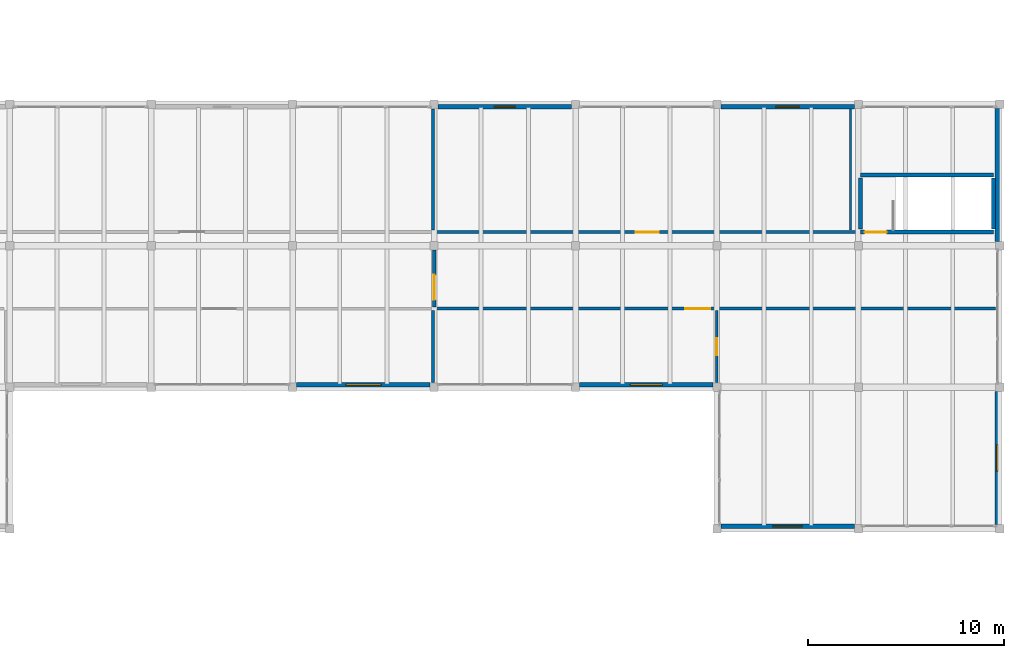
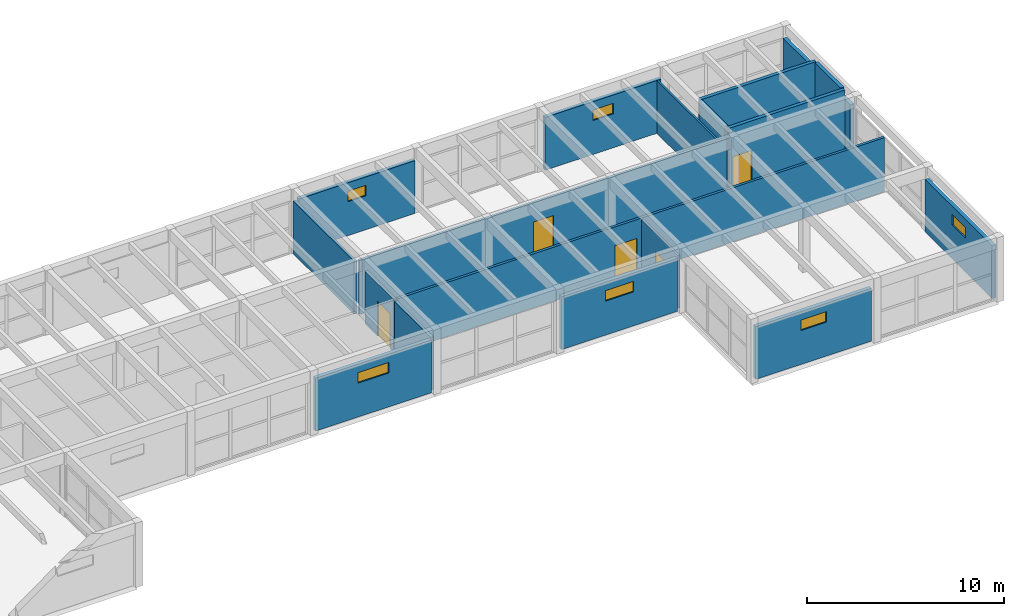
# One storey, part 61 of 68: 18 walls, 6 windows, 5 doors, 11 openings.
"""IFC4 building model written with IfcOpenShell, lengths in metres."""

from ifc_helpers import new_model, si_unit, direction, frame, frame_2d, origin, place, context, subcontext, project, spatial, rectangle, extrude, material, layer, layer_set, type_object, element, fill, save


model = new_model("IFC4")

# Units and contexts
model_context = context("Model", 3, precision=1e-05, world=origin(), true_north=direction((0.0, 1.0)))
body_context = subcontext(model_context, "Body", "Model", "MODEL_VIEW")
ifc_project = project(units=[si_unit("LENGTHUNIT", "METRE"), si_unit("AREAUNIT", "SQUARE_METRE"), si_unit("VOLUMEUNIT", "CUBIC_METRE"), si_unit("PLANEANGLEUNIT", "RADIAN"), si_unit("MASSUNIT", "GRAM", prefix="KILO")], contexts=[model_context])

# Site, building, storey
site_placement = place(None, origin())
site = spatial("IfcSite", under=ifc_project, at=site_placement, CompositionType="ELEMENT")
building_placement = place(site_placement, origin())
building = spatial("IfcBuilding", under=site, at=building_placement, Name="Bramvelor Terrace Health Centre", CompositionType="ELEMENT")
storey_placement = place(building_placement, frame((0.0, 0.0, 9.300048828125)))
storey = spatial("IfcBuildingStorey", under=building, at=storey_placement, Name="L03", CompositionType="ELEMENT", Elevation=9.300048828125)

# Wall
ifc_material_1 = material(Name="Acoustic clinical partition board", Category="gypsum")
ifc_layer_1 = layer(ifc_material_1, 0.110107421875)
ifc_layer_set_1 = layer_set([ifc_layer_1], Name="Acoustic clinical partition board")
wall_type_1 = type_object("IfcWallType", Name="WL-CLN-110", PredefinedType="PARTITIONING", material=ifc_layer_set_1)
wall_1_placement = place(storey_placement, frame((158.0, 64.550048828125, 0.0), z_axis=(0.0, 0.0, 1.0), x_axis=(0.0, -1.0, 0.0)))
element("IfcWall", 1, at=wall_1_placement, inside=storey, type_object=wall_type_1, Name="L03 Interior Partition 252", PredefinedType="PARTITIONING", context=body_context, shape_type="SweptSolid", body=[
    extrude(rectangle(XDim=6.15966796875, YDim=0.110107421875, at=frame_2d((3.079833984375, 0.0))), origin(), (0.0, 0.0, 1.0), 3.27001953125),
])

# Wall, opening, door
ifc_material_2 = material(Name="Acoustic clinical partition board", Category="gypsum")
ifc_layer_2 = layer(ifc_material_2, 0.1201171875)
ifc_layer_set_2 = layer_set([ifc_layer_2], Name="Acoustic clinical partition board")
wall_type_2 = type_object("IfcWallType", Name="WL-CLN-120", PredefinedType="PARTITIONING", material=ifc_layer_set_2)
wall_2_placement = place(storey_placement, frame((151.18994140625, 54.300048828125, 0.0), z_axis=(0.0, 0.0, 1.0), x_axis=(0.0, -1.0, 0.0)))
wall_2 = element("IfcWall", 2, at=wall_2_placement, inside=storey, type_object=wall_type_2, Name="L03 Interior Partition 251", PredefinedType="PARTITIONING", context=body_context, shape_type="SweptSolid", body=[
    extrude(rectangle(XDim=3.670166015625, YDim=0.1201171875, at=frame_2d((1.8349609375, 0.0))), origin(), (0.0, 0.0, 1.0), 3.27001953125),
])
opening_1_placement = place(wall_2_placement, frame((1.39990234375, 0.0, 0.0)))
opening_1 = element("IfcOpeningElement", 3, at=opening_1_placement, cuts=wall_2, Name="Opening ID-C15", PredefinedType="OPENING", context=body_context, shape_type="SweptSolid", body=[
    extrude(rectangle(XDim=0.8701171875, YDim=2.139892578125, at=frame_2d((0.43505859375, 1.06982421875))), frame((0.0, 0.070068359375, 0.0), z_axis=(0.0, -1.0, 0.0), x_axis=(1.0, 0.0, 0.0)), (0.0, 0.0, 1.0), 0.14013671875),
])
ifc_material_3 = material(Name="Solid-core acoustic timber laminate", Category="wood")
door_type_1 = type_object("IfcDoorType", Name="DR-CLN-15", OperationType="NOTDEFINED", PredefinedType="DOOR", material=ifc_material_3)
door_1_placement = place(opening_1_placement, origin())
door_1 = element("IfcDoor", 4, at=door_1_placement, inside=storey, type_object=door_type_1, Name="L03 Day Surgery Operating Theatre OR-4 Clinical Door", OperationType="SINGLE_SWING_RIGHT", OverallHeight=2.139892578125, OverallWidth=0.8701171875, PredefinedType="DOOR", context=body_context, shape_type="SweptSolid", body=[
    extrude(rectangle(XDim=0.8701171875, YDim=2.139892578125, at=frame_2d((0.43505859375, 1.06982421875))), frame((0.0, 0.02490234375, 0.0), z_axis=(0.0, -1.0, 0.0), x_axis=(1.0, 0.0, 0.0)), (0.0, 0.0, 1.0), 0.050048828125),
])
fill(opening_1, door_1)

ifc_material_4 = material(Name="Concrete C40/50", Category="concrete")
ifc_layer_3 = layer(ifc_material_4, 0.199951171875)
ifc_layer_set_3 = layer_set([ifc_layer_3], Name="Concrete C40/50")
wall_type_3 = type_object("IfcWallType", Name="WL-CORE-200", PredefinedType="SHEAR", material=ifc_layer_set_3)
wall_3_placement = place(storey_placement, frame((158.5, 58.300048828125, 0.0), z_axis=(0.0, 0.0, 1.0), x_axis=(1.0, 0.0, 0.0)))
wall_3 = element("IfcWall", 5, at=wall_3_placement, inside=storey, type_object=wall_type_3, Name="ST-7 L03 Stair Shaft Wall", PredefinedType="SHEAR", context=body_context, shape_type="SweptSolid", body=[
    extrude(rectangle(XDim=6.77490234375, YDim=0.199951171875, at=frame_2d((3.387451171875, 0.0))), origin(), (0.0, 0.0, 1.0), 3.974853515625),
])
opening_2_placement = place(wall_3_placement, frame((0.219970703125, 0.0, 0.0)))
opening_2 = element("IfcOpeningElement", 6, at=opening_2_placement, cuts=wall_3, Name="Opening FD-06", PredefinedType="OPENING", context=body_context, shape_type="SweptSolid", body=[
    extrude(rectangle(XDim=1.1201171875, YDim=2.139892578125, at=frame_2d((0.56005859375, 1.06982421875))), frame((0.0, 0.10986328125, 0.0), z_axis=(0.0, -1.0, 0.0), x_axis=(1.0, 0.0, 0.0)), (0.0, 0.0, 1.0), 0.219970703125),
])
ifc_material_5 = material(Name="Fire-rated steel and vision panel", Category="steel")
door_type_2 = type_object("IfcDoorType", Name="DR-FD60-112", OperationType="NOTDEFINED", PredefinedType="DOOR", material=ifc_material_5)
door_2_placement = place(opening_2_placement, origin())
door_2 = element("IfcDoor", 7, at=door_2_placement, inside=storey, type_object=door_type_2, Name="ST-7 L03 Exit Stair Fire Door", OperationType="SINGLE_SWING_LEFT", OverallHeight=2.139892578125, OverallWidth=1.1201171875, PredefinedType="DOOR", context=body_context, shape_type="SweptSolid", body=[
    extrude(rectangle(XDim=1.1201171875, YDim=2.139892578125, at=frame_2d((0.56005859375, 1.06982421875))), frame((0.0, 0.02490234375, 0.0), z_axis=(0.0, -1.0, 0.0), x_axis=(1.0, 0.0, 0.0)), (0.0, 0.0, 1.0), 0.050048828125),
])
fill(opening_2, door_2)

# Walls
wall_4_placement = place(storey_placement, frame((158.5, 61.199951171875, 0.0), z_axis=(0.0, 0.0, 1.0), x_axis=(1.0, 0.0, 0.0)))
element("IfcWall", 8, at=wall_4_placement, inside=storey, type_object=wall_type_3, Name="ST-7 L03 Stair Shaft Wall", PredefinedType="SHEAR", context=body_context, shape_type="SweptSolid", body=[
    extrude(rectangle(XDim=6.77490234375, YDim=0.199951171875, at=frame_2d((3.387451171875, 0.0))), origin(), (0.0, 0.0, 1.0), 3.974853515625),
])
for number, where, z_axis, x_axis, name in (
    (9, (158.5, 58.449951171875, 0.0), (0.0, 0.0, 1.0), (0.0, 1.0, 0.0), "ST-7 L03 Stair Shaft Wall"),
    (10, (165.27490234375, 58.449951171875, 0.0), (0.0, 0.0, 1.0), (0.0, 1.0, 0.0), "ST-7 L03 Stair Shaft Wall"),
):
    element("IfcWall", number, at=place(storey_placement, frame(where, z_axis=z_axis, x_axis=x_axis)), inside=storey, type_object=wall_type_3, Name=name, PredefinedType="SHEAR", context=body_context, shape_type="SweptSolid", body=[
        extrude(rectangle(XDim=2.60009765625, YDim=0.199951171875, at=frame_2d((1.300048828125, 0.0))), origin(), (0.0, 0.0, 1.0), 3.974853515625),
    ])

# Wall, opening, window
ifc_material_6 = material(Name="Cross-laminated timber C24", Category="wood")
ifc_layer_4 = layer(ifc_material_6, 0.219970703125)
ifc_layer_set_4 = layer_set([ifc_layer_4], Name="Cross-laminated timber C24")
wall_type_4 = type_object("IfcWallType", Name="WL-EXT-CLT220", PredefinedType="SOLIDWALL", material=ifc_layer_set_4)
wall_5_placement = place(storey_placement, frame((137.0048828125, 64.669921875, 0.0), z_axis=(0.0, 0.0, 1.0), x_axis=(1.0, 0.0, 0.0)))
wall_5 = element("IfcWall", 11, at=wall_5_placement, inside=storey, type_object=wall_type_4, Name="L03 Exterior Facade Wall 25", PredefinedType="SOLIDWALL", context=body_context, shape_type="SweptSolid", body=[
    extrude(rectangle(XDim=6.7900390625, YDim=0.219970703125, at=frame_2d((3.39501953125, 0.0))), origin(), (0.0, 0.0, 1.0), 3.27001953125),
])
opening_3_placement = place(wall_5_placement, frame((2.8701171875, 0.0, 2.10009765625)))
opening_3 = element("IfcOpeningElement", 12, at=opening_3_placement, cuts=wall_5, Name="Opening WN-03", PredefinedType="OPENING", context=body_context, shape_type="SweptSolid", body=[
    extrude(rectangle(XDim=1.050048828125, YDim=0.64990234375, at=frame_2d((0.52490234375, 0.324951171875))), frame((0.0, 0.119873046875, 0.0), z_axis=(0.0, -1.0, 0.0), x_axis=(1.0, 0.0, 0.0)), (0.0, 0.0, 1.0), 0.239990234375),
])
ifc_material_7 = material(Name="Double low-E laminated glass", Category="glass")
window_type_1 = type_object("IfcWindowType", Name="WIN-EXT-03", PartitioningType="SINGLE_PANEL", PredefinedType="WINDOW", material=ifc_material_7)
window_1_placement = place(opening_3_placement, origin())
window_1 = element("IfcWindow", 13, at=window_1_placement, inside=storey, type_object=window_type_1, Name="L03 Scheduled Clinical Window 123", OverallHeight=0.64990234375, OverallWidth=1.050048828125, PartitioningType="SINGLE_PANEL", PredefinedType="WINDOW", context=body_context, shape_type="SweptSolid", body=[
    extrude(rectangle(XDim=1.050048828125, YDim=0.64990234375, at=frame_2d((0.52490234375, 0.324951171875))), frame((0.0, 0.030029296875, 0.0), z_axis=(0.0, -1.0, 0.0), x_axis=(1.0, 0.0, 0.0)), (0.0, 0.0, 1.0), 0.06005859375),
])
fill(opening_3, window_1)

wall_6_placement = place(storey_placement, frame((151.405029296875, 64.669921875, 0.0), z_axis=(0.0, 0.0, 1.0), x_axis=(1.0, 0.0, 0.0)))
wall_6 = element("IfcWall", 14, at=wall_6_placement, inside=storey, type_object=wall_type_4, Name="L03 Exterior Facade Wall 27", PredefinedType="SOLIDWALL", context=body_context, shape_type="SweptSolid", body=[
    extrude(rectangle(XDim=6.7900390625, YDim=0.219970703125, at=frame_2d((3.39501953125, 0.0))), origin(), (0.0, 0.0, 1.0), 3.27001953125),
])
opening_4_placement = place(wall_6_placement, frame((2.794921875, 0.0, 2.10009765625)))
opening_4 = element("IfcOpeningElement", 15, at=opening_4_placement, cuts=wall_6, Name="Opening WN-04", PredefinedType="OPENING", context=body_context, shape_type="SweptSolid", body=[
    extrude(rectangle(XDim=1.199951171875, YDim=0.64990234375, at=frame_2d((0.60009765625, 0.324951171875))), frame((0.0, 0.119873046875, 0.0), z_axis=(0.0, -1.0, 0.0), x_axis=(1.0, 0.0, 0.0)), (0.0, 0.0, 1.0), 0.239990234375),
])
ifc_material_8 = material(Name="Double low-E laminated glass", Category="glass")
window_type_2 = type_object("IfcWindowType", Name="WIN-EXT-04", PartitioningType="SINGLE_PANEL", PredefinedType="WINDOW", material=ifc_material_8)
window_2_placement = place(opening_4_placement, origin())
window_2 = element("IfcWindow", 16, at=window_2_placement, inside=storey, type_object=window_type_2, Name="L03 Scheduled Clinical Window 124", OverallHeight=0.64990234375, OverallWidth=1.199951171875, PartitioningType="SINGLE_PANEL", PredefinedType="WINDOW", context=body_context, shape_type="SweptSolid", body=[
    extrude(rectangle(XDim=1.199951171875, YDim=0.64990234375, at=frame_2d((0.60009765625, 0.324951171875))), frame((0.0, 0.030029296875, 0.0), z_axis=(0.0, -1.0, 0.0), x_axis=(1.0, 0.0, 0.0)), (0.0, 0.0, 1.0), 0.06005859375),
])
fill(opening_4, window_2)

# Wall
wall_7_placement = place(storey_placement, frame((165.469970703125, 64.594970703125, 0.0), z_axis=(0.0, 0.0, 1.0), x_axis=(0.0, -1.0, 0.0)))
element("IfcWall", 17, at=wall_7_placement, inside=storey, type_object=wall_type_4, Name="L03 Exterior Facade Wall 29", PredefinedType="SOLIDWALL", context=body_context, shape_type="SweptSolid", body=[
    extrude(rectangle(XDim=6.7900390625, YDim=0.219970703125, at=frame_2d((3.39501953125, 0.0))), origin(), (0.0, 0.0, 1.0), 3.27001953125),
])

# Wall, opening, window
wall_8_placement = place(storey_placement, frame((165.469970703125, 50.195068359375, 0.0), z_axis=(0.0, 0.0, 1.0), x_axis=(0.0, -1.0, 0.0)))
wall_8 = element("IfcWall", 18, at=wall_8_placement, inside=storey, type_object=wall_type_4, Name="L03 Exterior Facade Wall 31", PredefinedType="SOLIDWALL", context=body_context, shape_type="SweptSolid", body=[
    extrude(rectangle(XDim=6.7900390625, YDim=0.219970703125, at=frame_2d((3.39501953125, 0.0))), origin(), (0.0, 0.0, 1.0), 3.27001953125),
])
opening_5_placement = place(wall_8_placement, frame((2.719970703125, 0.0, 2.10009765625)))
opening_5 = element("IfcOpeningElement", 19, at=opening_5_placement, cuts=wall_8, Name="Opening WN-05", PredefinedType="OPENING", context=body_context, shape_type="SweptSolid", body=[
    extrude(rectangle(XDim=1.35009765625, YDim=0.64990234375, at=frame_2d((0.675048828125, 0.324951171875))), frame((0.0, 0.119873046875, 0.0), z_axis=(0.0, -1.0, 0.0), x_axis=(1.0, 0.0, 0.0)), (0.0, 0.0, 1.0), 0.239990234375),
])
ifc_material_9 = material(Name="Double low-E laminated glass", Category="glass")
window_type_3 = type_object("IfcWindowType", Name="WIN-EXT-05", PartitioningType="SINGLE_PANEL", PredefinedType="WINDOW", material=ifc_material_9)
window_3_placement = place(opening_5_placement, origin())
window_3 = element("IfcWindow", 20, at=window_3_placement, inside=storey, type_object=window_type_3, Name="L03 Scheduled Clinical Window 125", OverallHeight=0.64990234375, OverallWidth=1.35009765625, PartitioningType="SINGLE_PANEL", PredefinedType="WINDOW", context=body_context, shape_type="SweptSolid", body=[
    extrude(rectangle(XDim=1.35009765625, YDim=0.64990234375, at=frame_2d((0.675048828125, 0.324951171875))), frame((0.0, 0.030029296875, 0.0), z_axis=(0.0, -1.0, 0.0), x_axis=(1.0, 0.0, 0.0)), (0.0, 0.0, 1.0), 0.06005859375),
])
fill(opening_5, window_3)

wall_9_placement = place(storey_placement, frame((158.195068359375, 43.330078125, 0.0), z_axis=(0.0, 0.0, 1.0), x_axis=(-1.0, 0.0, 0.0)))
wall_9 = element("IfcWall", 21, at=wall_9_placement, inside=storey, type_object=wall_type_4, Name="L03 Exterior Facade Wall 33", PredefinedType="SOLIDWALL", context=body_context, shape_type="SweptSolid", body=[
    extrude(rectangle(XDim=6.7900390625, YDim=0.219970703125, at=frame_2d((3.39501953125, 0.0))), origin(), (0.0, 0.0, 1.0), 3.27001953125),
])
opening_6_placement = place(wall_9_placement, frame((2.64501953125, 0.0, 2.10009765625)))
opening_6 = element("IfcOpeningElement", 22, at=opening_6_placement, cuts=wall_9, Name="Opening WN-06", PredefinedType="OPENING", context=body_context, shape_type="SweptSolid", body=[
    extrude(rectangle(XDim=1.5, YDim=0.64990234375, at=frame_2d((0.75, 0.324951171875))), frame((0.0, 0.119873046875, 0.0), z_axis=(0.0, -1.0, 0.0), x_axis=(1.0, 0.0, 0.0)), (0.0, 0.0, 1.0), 0.239990234375),
])
ifc_material_10 = material(Name="Double low-E laminated glass", Category="glass")
window_type_4 = type_object("IfcWindowType", Name="WIN-EXT-06", PartitioningType="SINGLE_PANEL", PredefinedType="WINDOW", material=ifc_material_10)
window_4_placement = place(opening_6_placement, origin())
window_4 = element("IfcWindow", 23, at=window_4_placement, inside=storey, type_object=window_type_4, Name="L03 Scheduled Clinical Window 126", OverallHeight=0.64990234375, OverallWidth=1.5, PartitioningType="SINGLE_PANEL", PredefinedType="WINDOW", context=body_context, shape_type="SweptSolid", body=[
    extrude(rectangle(XDim=1.5, YDim=0.64990234375, at=frame_2d((0.75, 0.324951171875))), frame((0.0, 0.030029296875, 0.0), z_axis=(0.0, -1.0, 0.0), x_axis=(1.0, 0.0, 0.0)), (0.0, 0.0, 1.0), 0.06005859375),
])
fill(opening_6, window_4)

wall_10_placement = place(storey_placement, frame((150.9951171875, 50.530029296875, 0.0), z_axis=(0.0, 0.0, 1.0), x_axis=(-1.0, 0.0, 0.0)))
wall_10 = element("IfcWall", 24, at=wall_10_placement, inside=storey, type_object=wall_type_4, Name="L03 Exterior Facade Wall 35", PredefinedType="SOLIDWALL", context=body_context, shape_type="SweptSolid", body=[
    extrude(rectangle(XDim=6.7900390625, YDim=0.219970703125, at=frame_2d((3.39501953125, 0.0))), origin(), (0.0, 0.0, 1.0), 3.27001953125),
])
opening_7_placement = place(wall_10_placement, frame((2.570068359375, 0.0, 2.10009765625)))
opening_7 = element("IfcOpeningElement", 25, at=opening_7_placement, cuts=wall_10, Name="Opening WN-07", PredefinedType="OPENING", context=body_context, shape_type="SweptSolid", body=[
    extrude(rectangle(XDim=1.64990234375, YDim=0.64990234375, at=frame_2d((0.824951171875, 0.324951171875))), frame((0.0, 0.119873046875, 0.0), z_axis=(0.0, -1.0, 0.0), x_axis=(1.0, 0.0, 0.0)), (0.0, 0.0, 1.0), 0.239990234375),
])
ifc_material_11 = material(Name="Double low-E laminated glass", Category="glass")
window_type_5 = type_object("IfcWindowType", Name="WIN-EXT-07", PartitioningType="SINGLE_PANEL", PredefinedType="WINDOW", material=ifc_material_11)
window_5_placement = place(opening_7_placement, origin())
window_5 = element("IfcWindow", 26, at=window_5_placement, inside=storey, type_object=window_type_5, Name="L03 Scheduled Clinical Window 127", OverallHeight=0.64990234375, OverallWidth=1.64990234375, PartitioningType="SINGLE_PANEL", PredefinedType="WINDOW", context=body_context, shape_type="SweptSolid", body=[
    extrude(rectangle(XDim=1.64990234375, YDim=0.64990234375, at=frame_2d((0.824951171875, 0.324951171875))), frame((0.0, 0.030029296875, 0.0), z_axis=(0.0, -1.0, 0.0), x_axis=(1.0, 0.0, 0.0)), (0.0, 0.0, 1.0), 0.06005859375),
])
fill(opening_7, window_5)

wall_11_placement = place(storey_placement, frame((136.594970703125, 50.530029296875, 0.0), z_axis=(0.0, 0.0, 1.0), x_axis=(-1.0, 0.0, 0.0)))
wall_11 = element("IfcWall", 27, at=wall_11_placement, inside=storey, type_object=wall_type_4, Name="L03 Exterior Facade Wall 37", PredefinedType="SOLIDWALL", context=body_context, shape_type="SweptSolid", body=[
    extrude(rectangle(XDim=6.7900390625, YDim=0.219970703125, at=frame_2d((3.39501953125, 0.0))), origin(), (0.0, 0.0, 1.0), 3.27001953125),
])
opening_8_placement = place(wall_11_placement, frame((2.4951171875, 0.0, 2.10009765625)))
opening_8 = element("IfcOpeningElement", 28, at=opening_8_placement, cuts=wall_11, Name="Opening WN-08", PredefinedType="OPENING", context=body_context, shape_type="SweptSolid", body=[
    extrude(rectangle(XDim=1.800048828125, YDim=0.64990234375, at=frame_2d((0.89990234375, 0.324951171875))), frame((0.0, 0.119873046875, 0.0), z_axis=(0.0, -1.0, 0.0), x_axis=(1.0, 0.0, 0.0)), (0.0, 0.0, 1.0), 0.239990234375),
])
ifc_material_12 = material(Name="Double low-E laminated glass", Category="glass")
window_type_6 = type_object("IfcWindowType", Name="WIN-EXT-08", PartitioningType="SINGLE_PANEL", PredefinedType="WINDOW", material=ifc_material_12)
window_6_placement = place(opening_8_placement, origin())
window_6 = element("IfcWindow", 29, at=window_6_placement, inside=storey, type_object=window_type_6, Name="L03 Scheduled Clinical Window 128", OverallHeight=0.64990234375, OverallWidth=1.800048828125, PartitioningType="SINGLE_PANEL", PredefinedType="WINDOW", context=body_context, shape_type="SweptSolid", body=[
    extrude(rectangle(XDim=1.800048828125, YDim=0.64990234375, at=frame_2d((0.89990234375, 0.324951171875))), frame((0.0, 0.030029296875, 0.0), z_axis=(0.0, -1.0, 0.0), x_axis=(1.0, 0.0, 0.0)), (0.0, 0.0, 1.0), 0.06005859375),
])
fill(opening_8, window_6)

# Wall, opening, door
ifc_material_13 = material(Name="Fire-rated gypsum and mineral wool", Category="gypsum")
ifc_layer_5 = layer(ifc_material_13, 0.14990234375)
ifc_layer_set_5 = layer_set([ifc_layer_5], Name="Fire-rated gypsum and mineral wool")
wall_type_5 = type_object("IfcWallType", Name="WL-FIR-150", PredefinedType="PARTITIONING", material=ifc_layer_set_5)
wall_12_placement = place(storey_placement, frame((136.89208984375, 58.300048828125, 0.0), z_axis=(0.0, 0.0, 1.0), x_axis=(0.999999976754, -0.000215619959, 0.0)))
wall_12 = element("IfcWall", 30, at=wall_12_placement, inside=storey, type_object=wall_type_5, Name="L03 Interior Partition 228", PredefinedType="PARTITIONING", context=body_context, shape_type="SweptSolid", body=[
    extrude(rectangle(XDim=21.51318359375, YDim=0.14990234375, at=frame_2d((10.756591796875, 0.0))), origin(), (0.0, 0.0, 1.0), 3.349853515625),
])
opening_9_placement = place(wall_12_placement, frame((10.16650390625, 0.0, 0.0)))
opening_9 = element("IfcOpeningElement", 31, at=opening_9_placement, cuts=wall_12, Name="Opening FD-02", PredefinedType="OPENING", context=body_context, shape_type="SweptSolid", body=[
    extrude(rectangle(XDim=1.179931640625, YDim=2.159912109375, at=frame_2d((0.58984375, 1.080078125))), frame((0.0, 0.0849609375, 0.0), z_axis=(0.0, -1.0, 0.0), x_axis=(1.0, 0.0, 0.0)), (0.0, 0.0, 1.0), 0.169921875),
])
ifc_material_14 = material(Name="Fire-rated steel and vision panel", Category="steel")
door_type_3 = type_object("IfcDoorType", Name="DR-FD90-118", OperationType="NOTDEFINED", PredefinedType="DOOR", material=ifc_material_14)
door_3_placement = place(opening_9_placement, origin())
door_3 = element("IfcDoor", 32, at=door_3_placement, inside=storey, type_object=door_type_3, Name="L03 Stage-2 Step-Down Recovery Lounge East Fire Door", OperationType="SINGLE_SWING_LEFT", OverallHeight=2.159912109375, OverallWidth=1.179931640625, PredefinedType="DOOR", context=body_context, shape_type="SweptSolid", body=[
    extrude(rectangle(XDim=1.179931640625, YDim=2.159912109375, at=frame_2d((0.58984375, 1.080078125))), frame((0.0, 0.02490234375, 0.0), z_axis=(0.0, -1.0, 0.0), x_axis=(1.0, 0.0, 0.0)), (0.0, 0.0, 1.0), 0.050048828125),
])
fill(opening_9, door_3)

wall_13_placement = place(storey_placement, frame((165.3701171875, 54.39990234375, 0.0), z_axis=(0.0, 0.0, 1.0), x_axis=(-1.0, 0.0, 0.0)))
wall_13 = element("IfcWall", 33, at=wall_13_placement, inside=storey, type_object=wall_type_5, Name="L03 Interior Partition 229", PredefinedType="PARTITIONING", context=body_context, shape_type="SweptSolid", body=[
    extrude(rectangle(XDim=28.47802734375, YDim=0.14990234375, at=frame_2d((14.239013671875, 0.0))), origin(), (0.0, 0.0, 1.0), 3.349853515625),
])
opening_10_placement = place(wall_13_placement, frame((14.4990234375, 0.0, 0.0)))
opening_10 = element("IfcOpeningElement", 34, at=opening_10_placement, cuts=wall_13, Name="Opening FD-01", PredefinedType="OPENING", context=body_context, shape_type="SweptSolid", body=[
    extrude(rectangle(XDim=1.280029296875, YDim=2.179931640625, at=frame_2d((0.64013671875, 1.08984375))), frame((0.0, 0.0849609375, 0.0), z_axis=(0.0, -1.0, 0.0), x_axis=(1.0, 0.0, 0.0)), (0.0, 0.0, 1.0), 0.169921875),
])
ifc_material_15 = material(Name="Fire-rated steel and vision panel", Category="steel")
door_type_4 = type_object("IfcDoorType", Name="DR-FD90-128", OperationType="NOTDEFINED", PredefinedType="DOOR", material=ifc_material_15)
door_4_placement = place(opening_10_placement, origin())
door_4 = element("IfcDoor", 35, at=door_4_placement, inside=storey, type_object=door_type_4, Name="L03 Day Surgery Operating Theatre OR-3 Fire Door", OperationType="SINGLE_SWING_LEFT", OverallHeight=2.179931640625, OverallWidth=1.280029296875, PredefinedType="DOOR", context=body_context, shape_type="SweptSolid", body=[
    extrude(rectangle(XDim=1.280029296875, YDim=2.179931640625, at=frame_2d((0.64013671875, 1.08984375))), frame((0.0, 0.02490234375, 0.0), z_axis=(0.0, -1.0, 0.0), x_axis=(1.0, 0.0, 0.0)), (0.0, 0.0, 1.0), 0.050048828125),
])
fill(opening_10, door_4)

ifc_material_16 = material(Name="Fire-rated gypsum and mineral wool", Category="gypsum")
ifc_layer_6 = layer(ifc_material_16, 0.169921875)
ifc_layer_set_6 = layer_set([ifc_layer_6], Name="Fire-rated gypsum and mineral wool")
wall_type_6 = type_object("IfcWallType", Name="WL-SMK-170", PredefinedType="PARTITIONING", material=ifc_layer_set_6)
wall_14_placement = place(storey_placement, frame((136.802001953125, 54.489990234375, 0.0), z_axis=(0.0, 0.0, 1.0), x_axis=(0.0, 1.0, 0.0)))
wall_14 = element("IfcWall", 36, at=wall_14_placement, inside=storey, type_object=wall_type_6, Name="L03 Interior Partition 227", PredefinedType="PARTITIONING", context=body_context, shape_type="SweptSolid", body=[
    extrude(rectangle(XDim=2.885009765625, YDim=0.169921875, at=frame_2d((1.4423828125, 0.0))), origin(), (0.0, 0.0, 1.0), 3.27001953125),
])
opening_11_placement = place(wall_14_placement, frame((0.3525390625, 0.0, 0.0)))
opening_11 = element("IfcOpeningElement", 37, at=opening_11_placement, cuts=wall_14, Name="Opening FD-01", PredefinedType="OPENING", context=body_context, shape_type="SweptSolid", body=[
    extrude(rectangle(XDim=1.280029296875, YDim=2.179931640625, at=frame_2d((0.64013671875, 1.08984375))), frame((0.0, 0.094970703125, 0.0), z_axis=(0.0, -1.0, 0.0), x_axis=(1.0, 0.0, 0.0)), (0.0, 0.0, 1.0), 0.18994140625),
])
door_5_placement = place(opening_11_placement, origin())
door_5 = element("IfcDoor", 38, at=door_5_placement, inside=storey, type_object=door_type_4, Name="L03 Fire Compartment Lobby Door 92", OperationType="SINGLE_SWING_LEFT", OverallHeight=2.179931640625, OverallWidth=1.280029296875, PredefinedType="DOOR", context=body_context, shape_type="SweptSolid", body=[
    extrude(rectangle(XDim=1.280029296875, YDim=2.179931640625, at=frame_2d((0.64013671875, 1.08984375))), frame((0.0, 0.02490234375, 0.0), z_axis=(0.0, -1.0, 0.0), x_axis=(1.0, 0.0, 0.0)), (0.0, 0.0, 1.0), 0.050048828125),
])
fill(opening_11, door_5)

# Walls
wall_15_placement = place(storey_placement, frame((136.75, 54.300048828125, 0.0), z_axis=(0.0, 0.0, 1.0), x_axis=(0.0, -1.0, 0.0)))
element("IfcWall", 39, at=wall_15_placement, inside=storey, type_object=wall_type_6, Name="L03 Interior Partition 247", PredefinedType="PARTITIONING", context=body_context, shape_type="SweptSolid", body=[
    extrude(rectangle(XDim=3.670166015625, YDim=0.169921875, at=frame_2d((1.8349609375, 0.0))), origin(), (0.0, 0.0, 1.0), 3.27001953125),
])
wall_16_placement = place(storey_placement, frame((136.75, 64.570068359375, 0.0), z_axis=(0.0, 0.0, 1.0), x_axis=(0.0, -1.0, 0.0)))
element("IfcWall", 40, at=wall_16_placement, inside=storey, type_object=wall_type_6, Name="L03 Interior Partition 248", PredefinedType="PARTITIONING", context=body_context, shape_type="SweptSolid", body=[
    extrude(rectangle(XDim=6.177978515625, YDim=0.169921875, at=frame_2d((3.0888671875, 0.0))), origin(), (0.0, 0.0, 1.0), 3.27001953125),
])

save(model, "model.ifc")
